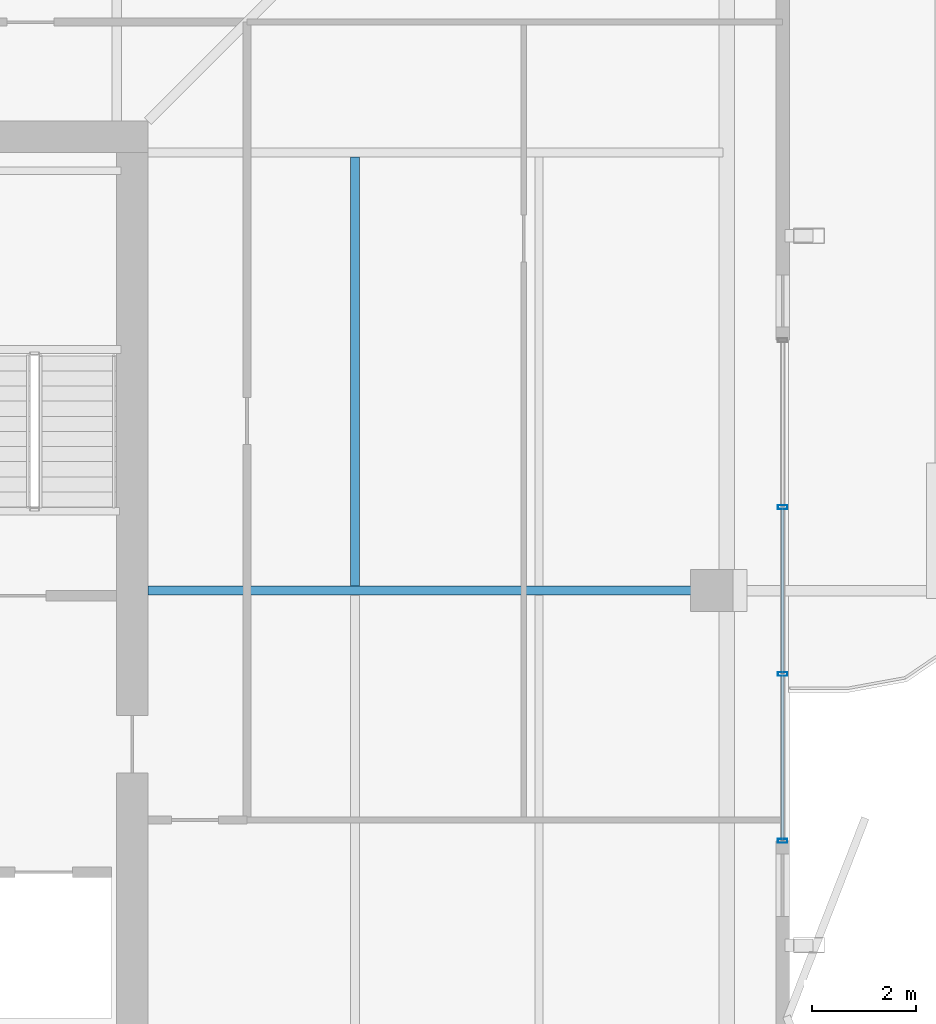
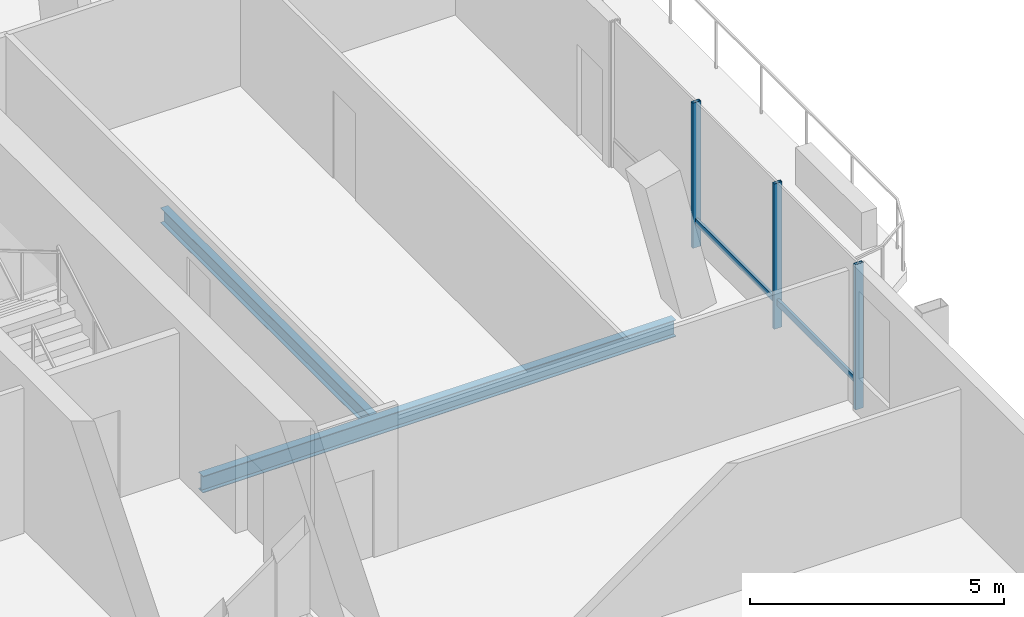
# One storey, part 9 of 20: 5 members, 2 beams, 1 element without a shape of its own.
"""IFC4 building model written with IfcOpenShell, lengths in metres."""

from ifc_helpers import new_model, si_unit, direction, frame, origin, origin_2d, place, context, subcontext, project, spatial, hollow_rectangle, i_section, extrude, material, layer, layer_set, material_profile, profile_set, type_object, element, aggregate, save


model = new_model("IFC4")

# Units and contexts
model_context = context("Model", 3, precision=1e-05, world=origin(), true_north=direction((0.0, 1.0)))
body_context = subcontext(model_context, "Body", "Model", "MODEL_VIEW")
ifc_project = project(units=[si_unit("LENGTHUNIT", "METRE"), si_unit("AREAUNIT", "SQUARE_METRE"), si_unit("VOLUMEUNIT", "CUBIC_METRE"), si_unit("PLANEANGLEUNIT", "RADIAN"), si_unit("MASSUNIT", "GRAM", prefix="KILO")], contexts=[model_context])

# Site, building, storey
site_placement = place(None, origin())
site = spatial("IfcSite", under=ifc_project, at=site_placement, CompositionType="ELEMENT")
building_placement = place(site_placement, origin())
building = spatial("IfcBuilding", under=site, at=building_placement, Name="Belovzor Exchange Tower", CompositionType="ELEMENT")
storey_placement = place(building_placement, frame((0.0, 0.0, 351.75)))
storey = spatial("IfcBuildingStorey", under=building, at=storey_placement, Name="L88", CompositionType="ELEMENT", Elevation=351.75)

# Beam
ifc_material_1 = material(Name="Steel S355", Category="steel")
ifc_material_profile_1 = material_profile(ifc_material_1, i_section(OverallWidth=0.169921875, OverallDepth=0.360107421875, WebThickness=0.008056640625, FlangeThickness=0.0126953125, at=origin_2d()))
ifc_profile_set_1 = profile_set([ifc_material_profile_1], Name="Steel S355")
beam_type_1 = type_object("IfcBeamType", Name="Secondary Infill Floor Joist IPE 360", PredefinedType="BEAM", material=ifc_profile_set_1)
beam_1_placement = place(storey_placement, frame((41.76904296875, 28.889892578125, -0.419921875), z_axis=(0.0, 1.0, 0.0), x_axis=(-1.0, 0.0, 0.0)))
element("IfcBeam", 1, at=beam_1_placement, inside=storey, type_object=beam_type_1, Name="FJ-360 Secondary Infill Floor Joist IPE 360", PredefinedType="BEAM", context=body_context, shape_type="SweptSolid", body=[
    extrude(i_section(OverallWidth=0.169921875, OverallDepth=0.360107421875, WebThickness=0.008056640625, FlangeThickness=0.0126953125, at=origin_2d()), origin(), (0.0, 0.0, 1.0), 8.22021484375),
])

# Curtain wall, members
ifc_material_2 = material(Name="Anodised Aluminium Framing", Category="aluminium")
ifc_layer = layer(ifc_material_2, 0.179931640625)
ifc_layer_set = layer_set([ifc_layer], Name="Anodised Aluminium Framing")
curtain_wall_type = type_object("IfcCurtainWallType", Name="Recessed Loggia Low-Iron Triple-Glazed Curtain Wall", PredefinedType="NOTDEFINED", material=ifc_layer_set)
curtain_wall_placement = place(storey_placement, origin())
curtain_wall = element("IfcCurtainWall", 2, at=curtain_wall_placement, inside=storey, type_object=curtain_wall_type, Name="CW3 Recessed Loggia Low-Iron Triple-Glazed Curtain Wall L88", PredefinedType="NOTDEFINED")
ifc_material_3 = material(Name="Steel S355", Category="steel")
ifc_material_profile_2 = material_profile(ifc_material_3, hollow_rectangle(XDim=0.074951171875, YDim=0.179931640625, WallThickness=0.0048828125, at=origin_2d()))
ifc_profile_set_2 = profile_set([ifc_material_profile_2], Name="Steel S355")
member_type_1 = type_object("IfcMemberType", Name="Thermally Broken Curtain Wall Mullion 180x75", PredefinedType="MULLION", material=ifc_profile_set_2)
member_1_placement = place(storey_placement, frame((49.969970703125, 30.39990234375, 0.0), z_axis=(0.0, 0.0, 1.0), x_axis=(0.0, -1.0, 0.0)))
member_1 = element("IfcMember", 3, at=member_1_placement, type_object=member_type_1, Name="CW-M180 Curtain Wall Mullion 2", PredefinedType="MULLION", context=body_context, shape_type="SweptSolid", body=[
    extrude(hollow_rectangle(XDim=0.074951171875, YDim=0.179931640625, WallThickness=0.0048828125, at=origin_2d()), origin(), (0.0, 0.0, 1.0), 3.489990234375),
])
member_2_placement = place(storey_placement, frame((49.969970703125, 27.199951171875, 0.0), z_axis=(0.0, 0.0, 1.0), x_axis=(0.0, -1.0, 0.0)))
member_2 = element("IfcMember", 4, at=member_2_placement, type_object=member_type_1, Name="CW-M180 Curtain Wall Mullion 3", PredefinedType="MULLION", context=body_context, shape_type="SweptSolid", body=[
    extrude(hollow_rectangle(XDim=0.074951171875, YDim=0.179931640625, WallThickness=0.0048828125, at=origin_2d()), origin(), (0.0, 0.0, 1.0), 3.489990234375),
])
member_3_placement = place(storey_placement, frame((49.969970703125, 24.0, 0.0), z_axis=(0.0, 0.0, 1.0), x_axis=(0.0, -1.0, 0.0)))
member_3 = element("IfcMember", 5, at=member_3_placement, type_object=member_type_1, Name="CW-M180 Curtain Wall Mullion 4", PredefinedType="MULLION", context=body_context, shape_type="SweptSolid", body=[
    extrude(hollow_rectangle(XDim=0.074951171875, YDim=0.179931640625, WallThickness=0.0048828125, at=origin_2d()), origin(), (0.0, 0.0, 1.0), 3.489990234375),
])
ifc_material_4 = material(Name="Steel S355", Category="steel")
ifc_material_profile_3 = material_profile(ifc_material_4, hollow_rectangle(XDim=0.06005859375, YDim=0.14990234375, WallThickness=0.00390625, at=origin_2d()))
ifc_profile_set_3 = profile_set([ifc_material_profile_3], Name="Steel S355")
member_type_2 = type_object("IfcMemberType", Name="Thermally Broken Curtain Wall Transom 150x60", PredefinedType="USERDEFINED", material=ifc_profile_set_3)
member_4_placement = place(storey_placement, frame((49.969970703125, 30.39208984375, 0.6279296875), z_axis=(0.0, -1.0, 0.0), x_axis=(1.0, 0.0, 0.0)))
member_4 = element("IfcMember", 6, at=member_4_placement, type_object=member_type_2, Name="CW-T150 Curtain Wall Transom 2", ObjectType="TRANSOM", PredefinedType="USERDEFINED", context=body_context, shape_type="SweptSolid", body=[
    extrude(hollow_rectangle(XDim=0.06005859375, YDim=0.14990234375, WallThickness=0.00390625, at=origin_2d()), origin(), (0.0, 0.0, 1.0), 3.18408203125),
])
member_5_placement = place(storey_placement, frame((49.969970703125, 27.19189453125, 0.6279296875), z_axis=(0.0, -1.0, 0.0), x_axis=(1.0, 0.0, 0.0)))
member_5 = element("IfcMember", 7, at=member_5_placement, type_object=member_type_2, Name="CW-T150 Curtain Wall Transom 3", ObjectType="TRANSOM", PredefinedType="USERDEFINED", context=body_context, shape_type="SweptSolid", body=[
    extrude(hollow_rectangle(XDim=0.06005859375, YDim=0.14990234375, WallThickness=0.00390625, at=origin_2d()), origin(), (0.0, 0.0, 1.0), 3.183837890625),
])
aggregate(curtain_wall, [member_1, member_2, member_3, member_4, member_5])

# Beam
ifc_material_5 = material(Name="Steel S355", Category="steel")
ifc_material_profile_4 = material_profile(ifc_material_5, i_section(OverallWidth=0.179931640625, OverallDepth=0.39990234375, WebThickness=0.008544921875, FlangeThickness=0.013427734375, at=origin_2d()))
ifc_profile_set_4 = profile_set([ifc_material_profile_4], Name="Steel S355")
beam_type_2 = type_object("IfcBeamType", Name="Zone 5-6 Radial Composite Floor Beam IPE 400", PredefinedType="BEAM", material=ifc_profile_set_4)
beam_2_placement = place(storey_placement, frame((37.800048828125, 28.800048828125, -0.43994140625), z_axis=(1.0, 0.0, 0.0), x_axis=(0.0, 1.0, 0.0)))
element("IfcBeam", 8, at=beam_2_placement, inside=storey, type_object=beam_type_2, Name="FB-400 Zone 5-6 Radial Composite Floor Beam IPE 400", PredefinedType="BEAM", context=body_context, shape_type="SweptSolid", body=[
    extrude(i_section(OverallWidth=0.179931640625, OverallDepth=0.39990234375, WebThickness=0.008544921875, FlangeThickness=0.013427734375, at=origin_2d()), origin(), (0.0, 0.0, 1.0), 10.748046875),
])

save(model, "model.ifc")
